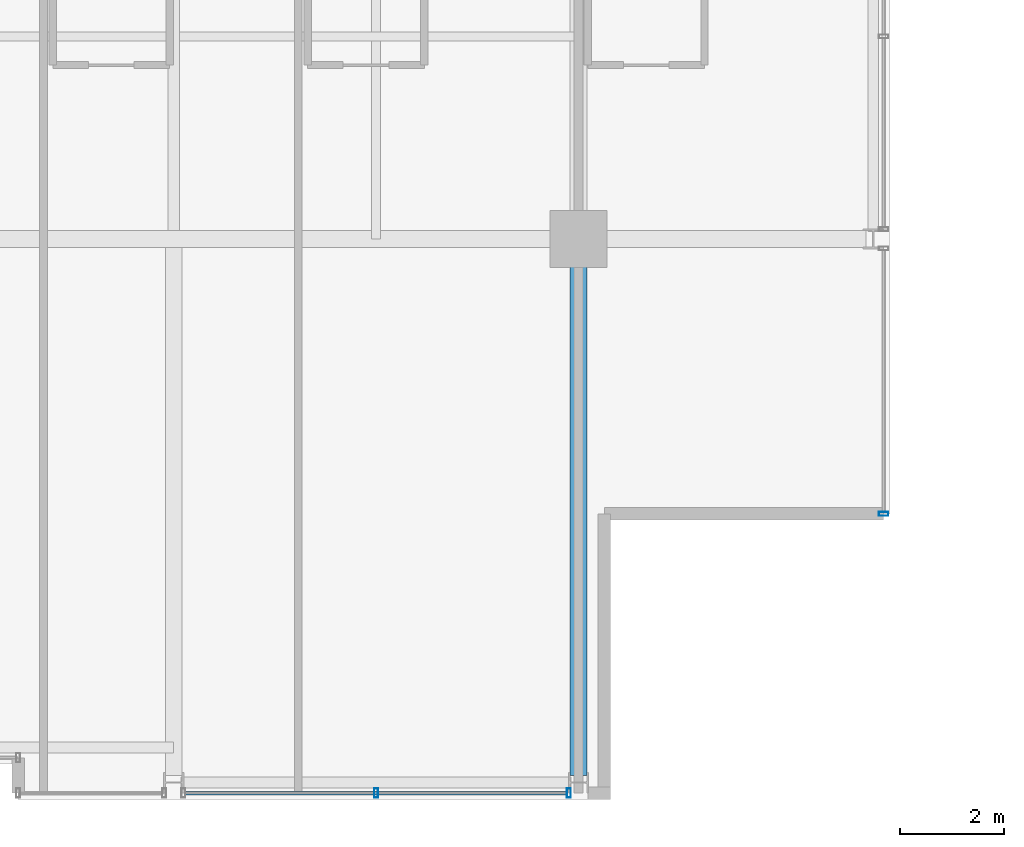
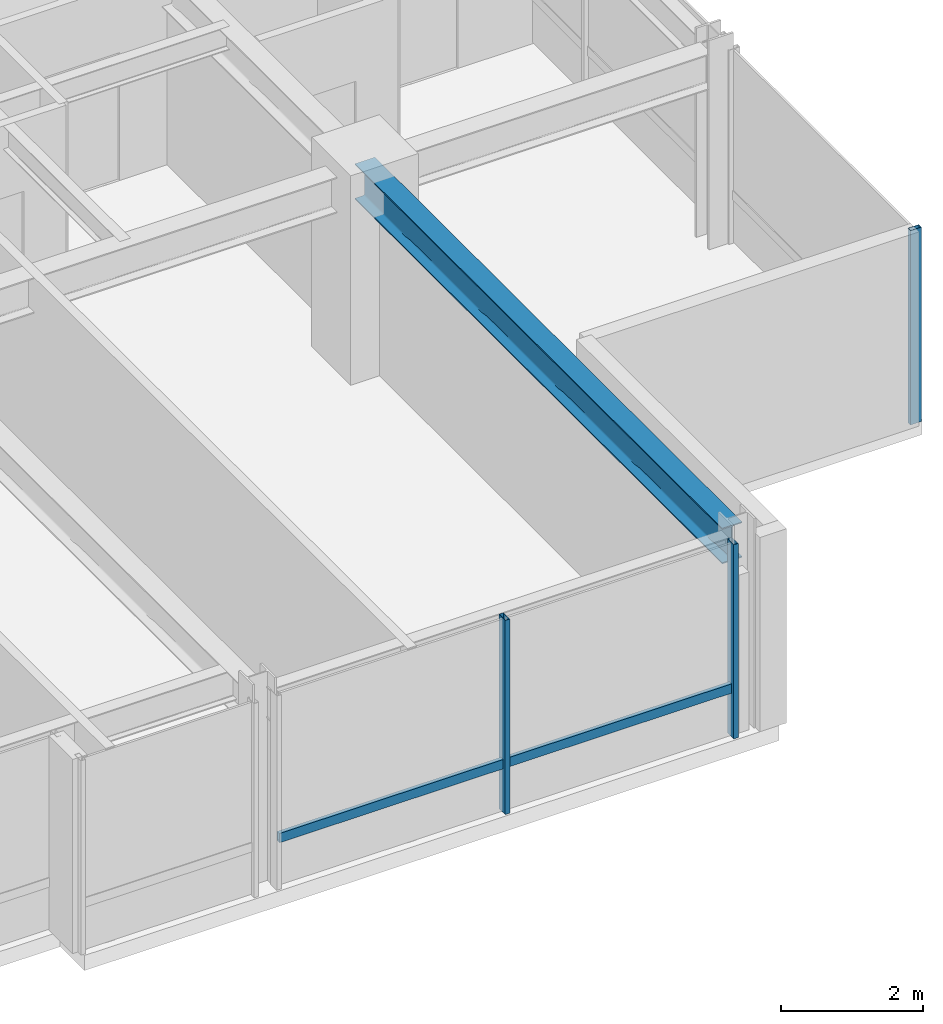
# One storey, part 13 of 34: 4 members, 1 beam, 2 elements without a shape of their own.
"""IFC4 building model written with IfcOpenShell, lengths in metres."""

import ifcopenshell
import ifcopenshell.guid

model = None  # the IFC model being written
_history = None  # IfcOwnerHistory: only IFC2X3 demands one
_inside = {}  # id of a spatial element -> (the spatial element, [elements in it])
_under = {}  # id of a project, library or spatial element -> (it, [spatial elements below it])
_declared = {}  # id of a project -> (the project, [libraries it declares])
_typed = {}  # id of a type object -> (the type object, [elements of that type])
_made_of = {}  # id of a material, layer set ... -> (it, [elements and type objects made of it])


def new_model(schema):
    """Start an empty IFC model of exactly this schema.

    Asked for "IFC4X3", IfcOpenShell would pick the latest addendum, in which some entities
    have other attributes; the version numbers below select the first issue.
    IFC2X3 requires an IfcOwnerHistory on every rooted entity: one is made here for all.
    """
    global model, _history
    if schema == "IFC4X3":
        model = ifcopenshell.file(schema_version=(4, 3, 0, 0))
    else:
        model = ifcopenshell.file(schema=schema)
    _inside.clear()
    _under.clear()
    _declared.clear()
    _typed.clear()
    _made_of.clear()
    _history = None
    if model.schema == "IFC2X3":
        org = make("IfcOrganization", Name="unknown")
        user = make(
            "IfcPersonAndOrganization",
            ThePerson=make("IfcPerson", FamilyName="unknown"),
            TheOrganization=org,
        )
        app = make(
            "IfcApplication",
            ApplicationDeveloper=org,
            Version="unknown",
            ApplicationFullName="unknown",
            ApplicationIdentifier="unknown",
        )
        _history = make(
            "IfcOwnerHistory",
            OwningUser=user,
            OwningApplication=app,
            ChangeAction="ADDED",
            CreationDate=0,
        )
    return model


def make(cls, **values):
    """One entity of the class cls with the attributes given. An attribute that is None is left unset."""
    return model.create_entity(
        cls, **{name: value for name, value in values.items() if value is not None}
    )


def rooted(cls, **values):
    """An entity with a GlobalId (a new one), such as an element, a storey or a relation."""
    return make(cls, GlobalId=ifcopenshell.guid.new(), OwnerHistory=_history, **values)


def si_unit(unit_type, name, prefix=None):
    """IfcSIUnit, for example si_unit("LENGTHUNIT", "METRE", prefix="MILLI")."""
    return make("IfcSIUnit", UnitType=unit_type, Prefix=prefix, Name=name)


def assignment(units):
    """IfcUnitAssignment: the units of a project."""
    return None if units is None else make("IfcUnitAssignment", Units=units)


def point(xyz):
    """IfcCartesianPoint."""
    return None if xyz is None else make("IfcCartesianPoint", Coordinates=xyz)


def direction(xyz):
    """IfcDirection."""
    return None if xyz is None else make("IfcDirection", DirectionRatios=xyz)


def frame(location, z_axis=None, x_axis=None):
    """IfcAxis2Placement3D, a coordinate frame: its origin and axes. An axis left out is left unset."""
    return make(
        "IfcAxis2Placement3D",
        Location=point(location),
        Axis=direction(z_axis),
        RefDirection=direction(x_axis),
    )


def frame_2d(location, x_axis=None):
    """IfcAxis2Placement2D, a coordinate frame in the plane: its origin and x axis."""
    return make(
        "IfcAxis2Placement2D", Location=point(location), RefDirection=direction(x_axis)
    )


def origin():
    """The frame at (0, 0, 0) with its axes left unset."""
    return frame((0.0, 0.0, 0.0))


def origin_2d():
    """The frame at (0, 0) in the plane with its x axis left unset."""
    return frame_2d((0.0, 0.0))


def place(relative_to, where):
    """IfcLocalPlacement: puts the frame where relative to a parent placement (None: the world)."""
    return make(
        "IfcLocalPlacement", PlacementRelTo=relative_to, RelativePlacement=where
    )


def context(
    kind, dimensions, precision=None, world=None, true_north=None, identifier=None
):
    """IfcGeometricRepresentationContext, for example the 3D "Model" context."""
    return make(
        "IfcGeometricRepresentationContext",
        ContextIdentifier=identifier,
        ContextType=kind,
        CoordinateSpaceDimension=dimensions,
        Precision=precision,
        WorldCoordinateSystem=world,
        TrueNorth=true_north,
    )


def subcontext(parent, identifier, kind, view, scale=None):
    """IfcGeometricRepresentationSubContext, for example "Body" below "Model"."""
    return make(
        "IfcGeometricRepresentationSubContext",
        ContextIdentifier=identifier,
        ContextType=kind,
        ParentContext=parent,
        TargetScale=scale,
        TargetView=view,
    )


def project(units=None, contexts=None):
    """IfcProject with its units and contexts."""
    return rooted(
        "IfcProject",
        Name="project",
        RepresentationContexts=contexts,
        UnitsInContext=assignment(units),
    )


def spatial(cls, under=None, at=None, **own):
    """A site, building, storey or space (cls), placed at a placement, below another one or the project."""
    s = rooted(cls, ObjectPlacement=at, **own)
    if under is not None:
        _under.setdefault(under.id(), (under, []))[1].append(s)
    return s


def profile(cls, at=None, kind="AREA", **sizes):
    """A parametric profile (cls). Its sizes go by their IFC names, for example OverallWidth=200.0."""
    return make(cls, ProfileType=kind, Position=at, **sizes)


def hollow_rectangle(**sizes):
    """IfcRectangleHollowProfileDef."""
    return profile("IfcRectangleHollowProfileDef", **sizes)


def i_section(**sizes):
    """IfcIShapeProfileDef."""
    return profile("IfcIShapeProfileDef", **sizes)


def extrude(swept, where, along, depth):
    """IfcExtrudedAreaSolid: the profile swept, set in the frame where, extruded along a direction by depth."""
    return make(
        "IfcExtrudedAreaSolid",
        SweptArea=swept,
        Position=where,
        ExtrudedDirection=direction(along),
        Depth=depth,
    )


def shape(context_of_items, identifier, shape_type, items):
    """IfcShapeRepresentation: the items that make up one representation, for example the "Body"."""
    return make(
        "IfcShapeRepresentation",
        ContextOfItems=context_of_items,
        RepresentationIdentifier=identifier,
        RepresentationType=shape_type,
        Items=items,
    )


def material(Name=None, Category=None):
    """IfcMaterial."""
    return make("IfcMaterial", Name=Name, Category=Category)


def layer(
    of_material, thickness, ventilated=None, Name=None, Category=None, Priority=None
):
    """IfcMaterialLayer: one layer of a wall or slab, of a material (None: an air gap)."""
    return make(
        "IfcMaterialLayer",
        Material=of_material,
        LayerThickness=thickness,
        IsVentilated=ventilated,
        Name=Name,
        Category=Category,
        Priority=Priority,
    )


def layer_set(layers, Name=None):
    """IfcMaterialLayerSet."""
    return make("IfcMaterialLayerSet", MaterialLayers=layers, LayerSetName=Name)


def material_profile(
    of_material, cross_section, Name=None, Category=None, Priority=None
):
    """IfcMaterialProfile: a cross section and its material."""
    return make(
        "IfcMaterialProfile",
        Name=Name,
        Material=of_material,
        Profile=cross_section,
        Priority=Priority,
        Category=Category,
    )


def profile_set(profiles, Name=None, composite=None):
    """IfcMaterialProfileSet."""
    return make(
        "IfcMaterialProfileSet",
        Name=Name,
        MaterialProfiles=profiles,
        CompositeProfile=composite,
    )


def made_of(thing, what):
    """Note that an element or type object is made of a material, layer set ...; save() writes the relation."""
    if what is not None:
        _made_of.setdefault(what.id(), (what, []))[1].append(thing)
    return thing


def type_object(cls, material=None, **own):
    """A type object (cls), such as IfcWallType, which elements share."""
    return made_of(rooted(cls, **own), material)


def element(
    cls,
    number,
    at=None,
    inside=None,
    cuts=None,
    type_object=None,
    material=None,
    context=None,
    identifier="Body",
    shape_type=None,
    held_by="IfcProductDefinitionShape",
    body=None,
    shapes=None,
    **own,
):
    """One element of the class cls, such as IfcWall. Its Tag is "e" and its number.

    at: its placement. inside: the storey or other place that contains it. cuts: it is an
    opening in that element (IfcRelVoidsElement). A single representation is given by context,
    identifier, shape_type and body (its items); several are given by shapes. held_by: the class
    of the entity that holds the representations. save() writes the other relations.
    """
    e = rooted(cls, Tag="e%d" % number, ObjectPlacement=at, **own)
    if body is not None:
        shapes = [shape(context, identifier, shape_type, body)]
    if shapes is not None:
        e.Representation = make(held_by, Representations=shapes)
    if inside is not None:
        _inside.setdefault(inside.id(), (inside, []))[1].append(e)
    if cuts is not None:
        rooted(
            "IfcRelVoidsElement", RelatingBuildingElement=cuts, RelatedOpeningElement=e
        )
    if type_object is not None:
        _typed.setdefault(type_object.id(), (type_object, []))[1].append(e)
    return made_of(e, material)


def aggregate(whole, parts):
    """IfcRelAggregates: a whole, such as a stair, and the parts it consists of."""
    return rooted("IfcRelAggregates", RelatingObject=whole, RelatedObjects=parts)


def save(model, path):
    """Write the relations noted so far, then the file.

    IfcRelAggregates (storeys below a building ...), IfcRelContainedInSpatialStructure (elements
    in a storey), IfcRelDefinesByType, IfcRelAssociatesMaterial and IfcRelDeclares: one each for
    every whole, place, type object, material and project.
    """
    for whole, parts in _under.values():
        aggregate(whole, parts)
    for where, things in _inside.values():
        rooted(
            "IfcRelContainedInSpatialStructure",
            RelatedElements=things,
            RelatingStructure=where,
        )
    for kind, things in _typed.values():
        rooted("IfcRelDefinesByType", RelatedObjects=things, RelatingType=kind)
    for what, things in _made_of.values():
        rooted("IfcRelAssociatesMaterial", RelatedObjects=things, RelatingMaterial=what)
    for by, libraries in _declared.values():
        rooted("IfcRelDeclares", RelatingContext=by, RelatedDefinitions=libraries)
    model.write(path)


model = new_model("IFC4")

# Units and contexts
model_context = context("Model", 3, precision=1e-05, world=origin(), true_north=direction((0.0, 1.0)))
body_context = subcontext(model_context, "Body", "Model", "MODEL_VIEW")
ifc_project = project(units=[si_unit("LENGTHUNIT", "METRE"), si_unit("AREAUNIT", "SQUARE_METRE"), si_unit("VOLUMEUNIT", "CUBIC_METRE"), si_unit("PLANEANGLEUNIT", "RADIAN"), si_unit("MASSUNIT", "GRAM", prefix="KILO")], contexts=[model_context])

# Site, building, storey
site_placement = place(None, origin())
site = spatial("IfcSite", under=ifc_project, at=site_placement, CompositionType="ELEMENT")
building_placement = place(site_placement, origin())
building = spatial("IfcBuilding", under=site, at=building_placement, Name="Drelvath Grand Hotel", CompositionType="ELEMENT")
storey_placement = place(building_placement, frame((0.0, 0.0, 208.699951171875)))
storey = spatial("IfcBuildingStorey", under=building, at=storey_placement, Name="L54", CompositionType="ELEMENT", Elevation=208.699951171875)

# Curtain wall, member
ifc_material_1 = material(Name="Platinum-Mist Anodised Aluminium Frame", Category="aluminium")
ifc_layer = layer(ifc_material_1, 0.199951171875)
ifc_layer_set = layer_set([ifc_layer], Name="Platinum-Mist Anodised Aluminium Frame")
curtain_wall_type = type_object("IfcCurtainWallType", Name="Stick Curtain Wall CW-05 Platinum Mist High-Rise", PredefinedType="NOTDEFINED", material=ifc_layer_set)
curtain_wall_1_placement = place(storey_placement, origin())
curtain_wall_1 = element("IfcCurtainWall", 1, at=curtain_wall_1_placement, inside=storey, type_object=curtain_wall_type, Name="L54 CW-05 Curtain Wall CW05-L54-SE2", PredefinedType="NOTDEFINED")
ifc_material_profile_1 = material_profile(ifc_material_1, hollow_rectangle(XDim=0.06494140625, YDim=0.159912109375, WallThickness=0.00390625, at=origin_2d()), Name="HSS160X65X4")
ifc_profile_set_1 = profile_set([ifc_material_profile_1], Name="Platinum-Mist Anodised Aluminium Frame")
member_type_1 = type_object("IfcMemberType", Name="Curtain Wall Horizontal Transom CW-05 HSS160X65X4", PredefinedType="USERDEFINED", material=ifc_profile_set_1)
member_1_placement = place(storey_placement, frame((15.974609375, 0.1201171875, 0.8349609375), z_axis=(-1.0, 0.0, 0.0), x_axis=(0.0, -1.0, 0.0)))
member_1 = element("IfcMember", 2, at=member_1_placement, type_object=member_type_1, Name="CW05-L54-SE2 Sill Transom", ObjectType="TRANSOM", PredefinedType="USERDEFINED", context=body_context, shape_type="SweptSolid", body=[
    extrude(hollow_rectangle(XDim=0.06494140625, YDim=0.159912109375, WallThickness=0.00390625, at=origin_2d()), origin(), (0.0, 0.0, 1.0), 7.349365234375),
])

curtain_wall_2_placement = place(storey_placement, origin())
curtain_wall_2 = element("IfcCurtainWall", 3, at=curtain_wall_2_placement, inside=storey, type_object=curtain_wall_type, Name="L54 CW-05 Curtain Wall CW05-L54-ES1", PredefinedType="NOTDEFINED")
ifc_material_profile_2 = material_profile(ifc_material_1, hollow_rectangle(XDim=0.074951171875, YDim=0.179931640625, WallThickness=0.0048828125, at=origin_2d()), Name="HSS180X75X5")
ifc_profile_set_2 = profile_set([ifc_material_profile_2], Name="Platinum-Mist Anodised Aluminium Frame")
member_type_2 = type_object("IfcMemberType", Name="Curtain Wall Vertical Mullion CW-05 HSS180X75X5", PredefinedType="MULLION", material=ifc_profile_set_2)
member_2_placement = place(storey_placement, frame((22.080078125, 5.5, 0.0), z_axis=(0.0, 0.0, 1.0), x_axis=(0.0, 1.0, 0.0)))
member_2 = element("IfcMember", 4, at=member_2_placement, type_object=member_type_2, Name="CW05-L54-ES1 Mullion 2", PredefinedType="MULLION", context=body_context, shape_type="SweptSolid", body=[
    extrude(hollow_rectangle(XDim=0.074951171875, YDim=0.179931640625, WallThickness=0.0048828125, at=origin_2d()), origin(), (0.0, 0.0, 1.0), 3.340087890625),
])
aggregate(curtain_wall_2, [member_2])

# Member
member_3_placement = place(storey_placement, frame((16.0146484375, 0.1201171875, 0.0), z_axis=(0.0, 0.0, 1.0), x_axis=(1.0, 0.0, 0.0)))
member_3 = element("IfcMember", 5, at=member_3_placement, type_object=member_type_2, Name="CW05-L54-SE2 Mullion 1", PredefinedType="MULLION", context=body_context, shape_type="SweptSolid", body=[
    extrude(hollow_rectangle(XDim=0.074951171875, YDim=0.179931640625, WallThickness=0.0048828125, at=origin_2d()), origin(), (0.0, 0.0, 1.0), 3.340087890625),
])

member_4_placement = place(storey_placement, frame((12.300048828125, 0.1201171875, 0.0), z_axis=(0.0, 0.0, 1.0), x_axis=(1.0, 0.0, 0.0)))
member_4 = element("IfcMember", 6, at=member_4_placement, type_object=member_type_2, Name="CW05-L54-SE2 Mullion 2", PredefinedType="MULLION", context=body_context, shape_type="SweptSolid", body=[
    extrude(hollow_rectangle(XDim=0.074951171875, YDim=0.179931640625, WallThickness=0.0048828125, at=origin_2d()), origin(), (0.0, 0.0, 1.0), 3.340087890625),
])

aggregate(curtain_wall_1, [member_3, member_4, member_1])

# Beam
ifc_material_2 = material(Name="Steel ASTM A992 Gr 50", Category="steel")
ifc_material_profile_3 = material_profile(ifc_material_2, i_section(OverallWidth=0.323974609375, OverallDepth=0.611083984375, WebThickness=0.0126953125, FlangeThickness=0.01904296875, FilletRadius=0.02197265625, at=origin_2d()), Name="W24X104")
ifc_profile_set_3 = profile_set([ifc_material_profile_3], Name="Steel ASTM A992 Gr 50")
beam_type = type_object("IfcBeamType", Name="Primary Floor Girder W24X104", PredefinedType="BEAM", material=ifc_profile_set_3)
beam_placement = place(storey_placement, frame((16.199951171875, 0.4599609375, 3.034423828125), z_axis=(0.0, 1.0, 0.0), x_axis=(-1.0, 0.0, 0.0)))
element("IfcBeam", 7, at=beam_placement, inside=storey, type_object=beam_type, Name="L54 South Grid Girder 7", PredefinedType="BEAM", context=body_context, shape_type="SweptSolid", body=[
    extrude(i_section(OverallWidth=0.323974609375, OverallDepth=0.611083984375, WebThickness=0.0126953125, FlangeThickness=0.01904296875, FilletRadius=0.02197265625, at=origin_2d()), origin(), (0.0, 0.0, 1.0), 10.340087890625),
])

save(model, "model.ifc")
